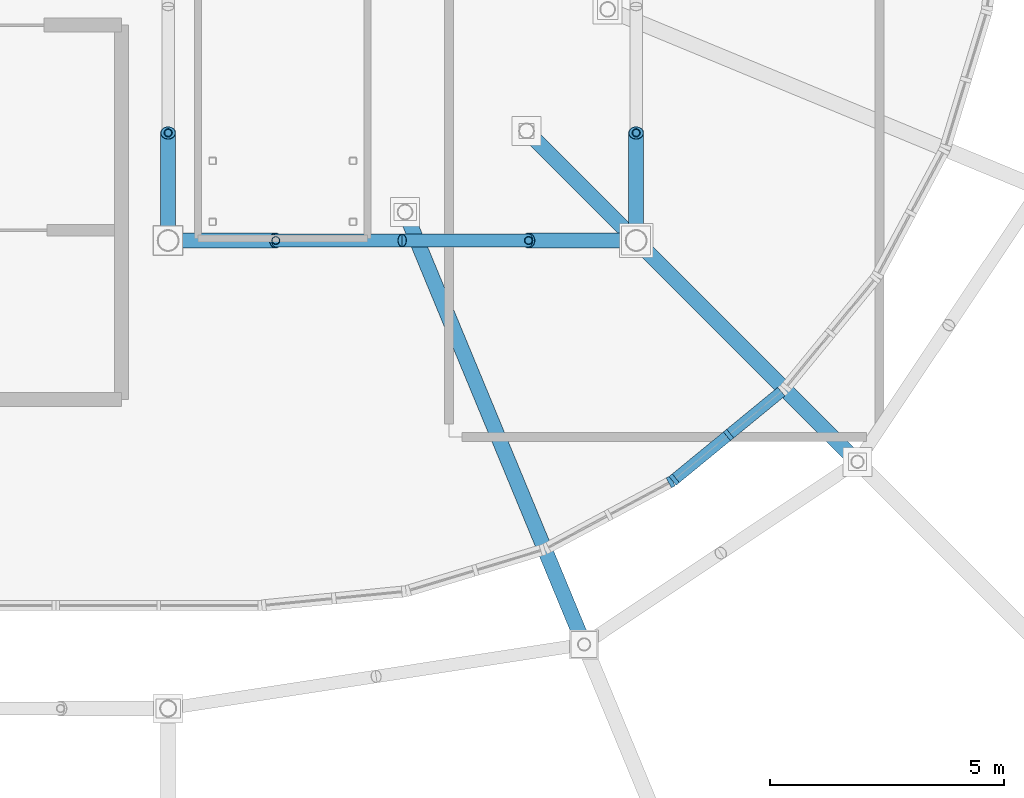
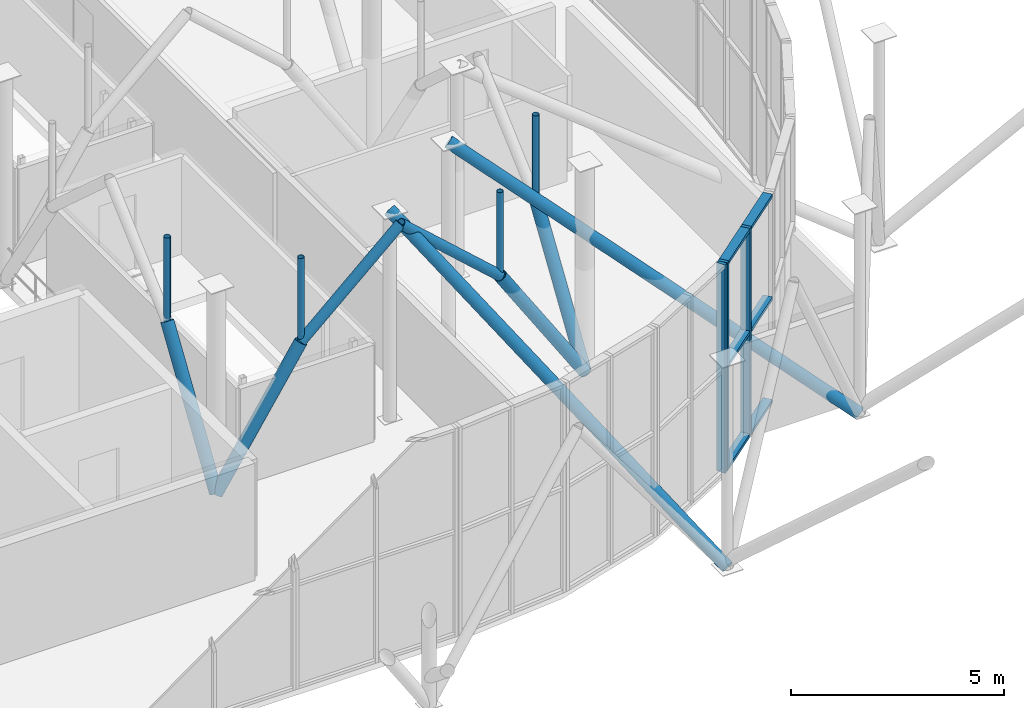
# One storey, part 65 of 109: 21 members, 2 elements without a shape of their own.
"""IFC4 building model written with IfcOpenShell, lengths in metres."""

from ifc_helpers import new_model, si_unit, derived_unit, direction, frame, origin, origin_2d_with_axis, place, context, subcontext, project, spatial, rectangle, hollow_circle, extrude, material, material_profile, profile_set, type_object, element, aggregate, save


model = new_model("IFC4")

# Units and contexts
model_context = context("Model", 3, precision=1e-05, world=origin(), true_north=direction((0.0, 1.0)))
body_context = subcontext(model_context, "Body", "Model", "MODEL_VIEW")
ifc_project = project(units=[si_unit("LENGTHUNIT", "METRE"), si_unit("AREAUNIT", "SQUARE_METRE"), si_unit("VOLUMEUNIT", "CUBIC_METRE"), si_unit("PLANEANGLEUNIT", "RADIAN"), si_unit("MASSUNIT", "GRAM", prefix="KILO"), derived_unit("THERMALTRANSMITTANCEUNIT", [(si_unit("POWERUNIT", "WATT"), 1), (si_unit("LENGTHUNIT", "METRE"), -2), (si_unit("THERMODYNAMICTEMPERATUREUNIT", "KELVIN"), -1)])], contexts=[model_context])

# Site, building, storey
site_placement = place(None, origin())
site = spatial("IfcSite", under=ifc_project, at=site_placement, CompositionType="ELEMENT")
building_placement = place(site_placement, origin())
building = spatial("IfcBuilding", under=site, at=building_placement, Name="Cinnabar Yard Market Hall", CompositionType="ELEMENT")
storey_placement = place(building_placement, frame((0.0, 0.0, 8.39990234375)))
storey = spatial("IfcBuildingStorey", under=building, at=storey_placement, Name="L02", CompositionType="ELEMENT", Elevation=8.39990234375)

# Curtain wall, member
ifc_material_1 = material(Name="Anodised bronze aluminium curved-chord facade", Category="aluminium")
curtain_wall_type = type_object("IfcCurtainWallType", Name="CW-CWC031x60", PredefinedType="NOTDEFINED", material=ifc_material_1)
curtain_wall_1_placement = place(storey_placement, origin())
curtain_wall_1 = element("IfcCurtainWall", 1, at=curtain_wall_1_placement, inside=storey, type_object=curtain_wall_type, Name="Corner SE Chord 3 L02", PredefinedType="NOTDEFINED")
ifc_material_2 = material(Name="Anodised bronze aluminium", Category="aluminium")
ifc_material_profile_1 = material_profile(ifc_material_2, rectangle(XDim=0.239990234375, YDim=0.090087890625, at=origin_2d_with_axis()), Name="MUL-CWC")
ifc_profile_set_1 = profile_set([ifc_material_profile_1], Name="Anodised bronze aluminium")
member_type_1 = type_object("IfcMemberType", Name="CWM-CWC", PredefinedType="MULLION", material=ifc_profile_set_1)
member_1_placement = place(storey_placement, frame((156.73828125, 18.841552734375, 0.0), z_axis=(0.0, 0.0, 1.0), x_axis=(-0.471404114786, 0.881917320707, 0.0)))
member_1 = element("IfcMember", 2, at=member_1_placement, type_object=member_type_1, Name="CWC031x60 mullion 3", PredefinedType="MULLION", context=body_context, shape_type="SweptSolid", body=[
    extrude(rectangle(XDim=0.239990234375, YDim=0.090087890625, at=origin_2d_with_axis()), origin(), (0.0, 0.0, 1.0), 5.97998046875),
])
aggregate(curtain_wall_1, [member_1])

# Curtain wall, members
curtain_wall_2_placement = place(storey_placement, origin())
curtain_wall_2 = element("IfcCurtainWall", 3, at=curtain_wall_2_placement, inside=storey, type_object=curtain_wall_type, Name="Corner SE Chord 4 L02", PredefinedType="NOTDEFINED")
member_2_placement = place(storey_placement, frame((156.812744140625, 18.891357421875, 0.0), z_axis=(0.0, 0.0, 1.0), x_axis=(-0.634383400924, 0.773018564222, 0.0)))
member_2 = element("IfcMember", 4, at=member_2_placement, type_object=member_type_1, Name="CWC031x60 mullion 1", PredefinedType="MULLION", context=body_context, shape_type="SweptSolid", body=[
    extrude(rectangle(XDim=0.239990234375, YDim=0.090087890625, at=origin_2d_with_axis()), origin(), (0.0, 0.0, 1.0), 5.97998046875),
])
member_3_placement = place(storey_placement, frame((157.97509765625, 19.84521484375, 0.0), z_axis=(0.0, 0.0, 1.0), x_axis=(-0.634383400924, 0.773018564222, 0.0)))
member_3 = element("IfcMember", 5, at=member_3_placement, type_object=member_type_1, Name="CWC031x60 mullion 2", PredefinedType="MULLION", context=body_context, shape_type="SweptSolid", body=[
    extrude(rectangle(XDim=0.239990234375, YDim=0.090087890625, at=origin_2d_with_axis()), origin(), (0.0, 0.0, 1.0), 5.97998046875),
])
ifc_material_profile_2 = material_profile(ifc_material_2, rectangle(XDim=0.239990234375, YDim=0.090087890625, at=origin_2d_with_axis()), Name="TRN-CWC")
ifc_profile_set_2 = profile_set([ifc_material_profile_2], Name="Anodised bronze aluminium")
member_type_2 = type_object("IfcMemberType", Name="CWT-CWC", PredefinedType="USERDEFINED", material=ifc_profile_set_2)
member_4_placement = place(storey_placement, frame((156.84765625, 18.919921875, 0.045166015625), z_axis=(0.773040795861, 0.634356309919, 0.0), x_axis=(-0.634356309919, 0.773040795861, 0.0)))
member_4 = element("IfcMember", 6, at=member_4_placement, type_object=member_type_2, Name="CWC031x60 transom 1.1", ObjectType="TRANSOM", PredefinedType="USERDEFINED", context=body_context, shape_type="SweptSolid", body=[
    extrude(rectangle(XDim=0.239990234375, YDim=0.090087890625, at=origin_2d_with_axis()), origin(), (0.0, 0.0, 1.0), 1.41357421875),
])
member_5_placement = place(storey_placement, frame((156.84765625, 18.919921875, 2.989990234375), z_axis=(0.773040795861, 0.634356309919, 0.0), x_axis=(-0.634356309919, 0.773040795861, 0.0)))
member_5 = element("IfcMember", 7, at=member_5_placement, type_object=member_type_2, Name="CWC031x60 transom 1.2", ObjectType="TRANSOM", PredefinedType="USERDEFINED", context=body_context, shape_type="SweptSolid", body=[
    extrude(rectangle(XDim=0.239990234375, YDim=0.090087890625, at=origin_2d_with_axis()), origin(), (0.0, 0.0, 1.0), 1.41357421875),
])
member_6_placement = place(storey_placement, frame((156.84765625, 18.919921875, 5.93505859375), z_axis=(0.773040795861, 0.634356309919, 0.0), x_axis=(-0.634356309919, 0.773040795861, 0.0)))
member_6 = element("IfcMember", 8, at=member_6_placement, type_object=member_type_2, Name="CWC031x60 transom 1.3", ObjectType="TRANSOM", PredefinedType="USERDEFINED", context=body_context, shape_type="SweptSolid", body=[
    extrude(rectangle(XDim=0.239990234375, YDim=0.090087890625, at=origin_2d_with_axis()), origin(), (0.0, 0.0, 1.0), 1.41357421875),
])
member_7_placement = place(storey_placement, frame((158.010009765625, 19.873779296875, 0.045166015625), z_axis=(0.773040795861, 0.634356309919, 0.0), x_axis=(-0.634356309919, 0.773040795861, 0.0)))
member_7 = element("IfcMember", 9, at=member_7_placement, type_object=member_type_2, Name="CWC031x60 transom 2.1", ObjectType="TRANSOM", PredefinedType="USERDEFINED", context=body_context, shape_type="SweptSolid", body=[
    extrude(rectangle(XDim=0.239990234375, YDim=0.090087890625, at=origin_2d_with_axis()), origin(), (0.0, 0.0, 1.0), 1.41357421875),
])
member_8_placement = place(storey_placement, frame((158.010009765625, 19.873779296875, 2.989990234375), z_axis=(0.773040795861, 0.634356309919, 0.0), x_axis=(-0.634356309919, 0.773040795861, 0.0)))
member_8 = element("IfcMember", 10, at=member_8_placement, type_object=member_type_2, Name="CWC031x60 transom 2.2", ObjectType="TRANSOM", PredefinedType="USERDEFINED", context=body_context, shape_type="SweptSolid", body=[
    extrude(rectangle(XDim=0.239990234375, YDim=0.090087890625, at=origin_2d_with_axis()), origin(), (0.0, 0.0, 1.0), 1.41357421875),
])
member_9_placement = place(storey_placement, frame((158.010009765625, 19.873779296875, 5.93505859375), z_axis=(0.773040795861, 0.634356309919, 0.0), x_axis=(-0.634356309919, 0.773040795861, 0.0)))
member_9 = element("IfcMember", 11, at=member_9_placement, type_object=member_type_2, Name="CWC031x60 transom 2.3", ObjectType="TRANSOM", PredefinedType="USERDEFINED", context=body_context, shape_type="SweptSolid", body=[
    extrude(rectangle(XDim=0.239990234375, YDim=0.090087890625, at=origin_2d_with_axis()), origin(), (0.0, 0.0, 1.0), 1.41357421875),
])
aggregate(curtain_wall_2, [member_2, member_3, member_4, member_5, member_6, member_7, member_8, member_9])

# Members
ifc_material_3 = material(Name="Spotted-gum glulam-clad steel Grade 350 (350 MPa)", Category="steel")
ifc_material_profile_3 = material_profile(ifc_material_3, hollow_circle(Radius=0.136474609375, WallThickness=0.00927734375, at=origin_2d_with_axis()), Name="273.1x9.3CHS")
ifc_profile_set_3 = profile_set([ifc_material_profile_3], Name="Spotted-gum glulam-clad steel Grade 350 (350 MPa)")
member_type_3 = type_object("IfcMemberType", Name="MB-AR01", PredefinedType="USERDEFINED", material=ifc_profile_set_3)
for number, where, z_axis, x_axis, name in (
    (12, (148.300048828125, 24.0, 3.550048828125), (0.743297488271, 0.0, 0.668961018244), (0.0, 1.0, 0.0), "Pointed Arch Rib 0116"),
    (13, (153.699951171875, 24.0, 3.550048828125), (-0.743297488271, 0.0, 0.668961018244), (0.0, -1.0, 0.0), "Pointed Arch Rib 0132"),
):
    element("IfcMember", number, at=place(storey_placement, frame(where, z_axis=z_axis, x_axis=x_axis)), inside=storey, type_object=member_type_3, Name=name, ObjectType="ARCH RIB", PredefinedType="USERDEFINED", context=body_context, shape_type="SweptSolid", body=[
        extrude(hollow_circle(Radius=0.136474609375, WallThickness=0.00927734375, at=origin_2d_with_axis()), origin(), (0.0, 0.0, 1.0), 3.63232421875),
    ])
ifc_material_profile_4 = material_profile(ifc_material_3, hollow_circle(Radius=0.161865234375, WallThickness=0.009521484375, at=origin_2d_with_axis()), Name="323.9x9.5CHS")
ifc_profile_set_4 = profile_set([ifc_material_profile_4], Name="Spotted-gum glulam-clad steel Grade 350 (350 MPa)")
member_type_4 = type_object("IfcMemberType", Name="MB-ST01", PredefinedType="STRUT", material=ifc_profile_set_4)
for number, where, z_axis, x_axis, name in (
    (14, (146.0, 24.0, 0.0), (0.543744165176, 0.0, 0.839251024925), (0.0, 1.0, 0.0), "Curved Branch Arm Lower 0116"),
    (15, (146.0, 24.0, 0.0), (0.0, 0.543744165176, 0.839251024925), (-1.0, 0.0, 0.0), "Curved Branch Arm Lower 0117"),
    (16, (156.0, 24.0, 0.0), (-0.543744165176, 0.0, 0.839251024925), (0.0, -1.0, 0.0), "Curved Branch Arm Lower 0132"),
    (17, (156.0, 24.0, 0.0), (0.0, 0.543744165176, 0.839251024925), (-1.0, 0.0, 0.0), "Curved Branch Arm Lower 0133"),
):
    element("IfcMember", number, at=place(storey_placement, frame(where, z_axis=z_axis, x_axis=x_axis)), inside=storey, type_object=member_type_4, Name=name, PredefinedType="STRUT", context=body_context, shape_type="SweptSolid", body=[
        extrude(hollow_circle(Radius=0.161865234375, WallThickness=0.009521484375, at=origin_2d_with_axis()), origin(), (0.0, 0.0, 1.0), 4.22998046875),
    ])
ifc_material_profile_5 = material_profile(ifc_material_3, hollow_circle(Radius=0.161865234375, WallThickness=0.009521484375, at=origin_2d_with_axis()), Name="323.9x9.5CHS")
ifc_profile_set_5 = profile_set([ifc_material_profile_5], Name="Spotted-gum glulam-clad steel Grade 350 (350 MPa)")
member_type_5 = type_object("IfcMemberType", Name="MB-ST01E", PredefinedType="STRUT", material=ifc_profile_set_5)
member_10_placement = place(storey_placement, frame((154.88818359375, 15.3701171875, 0.0), z_axis=(-0.328425302123, 0.792922692544, 0.513235252661), x_axis=(-0.923885312463, -0.382669478028, 0.0)))
element("IfcMember", 18, at=member_10_placement, inside=storey, type_object=member_type_5, Name="Corner Radial Inward Arm SE-2", PredefinedType="STRUT", context=body_context, shape_type="SweptSolid", body=[
    extrude(hollow_circle(Radius=0.161865234375, WallThickness=0.009521484375, at=origin_2d_with_axis()), origin(), (0.0, 0.0, 1.0), 11.651611328125),
])
member_11_placement = place(storey_placement, frame((160.727783203125, 19.272216796875, 0.0), z_axis=(-0.606868367863, 0.606868367863, 0.513246108778), x_axis=(-0.707106781187, -0.707106781187, 0.0)))
element("IfcMember", 19, at=member_11_placement, inside=storey, type_object=member_type_5, Name="Corner Radial Inward Arm SE-4", PredefinedType="STRUT", context=body_context, shape_type="SweptSolid", body=[
    extrude(hollow_circle(Radius=0.161865234375, WallThickness=0.009521484375, at=origin_2d_with_axis()), origin(), (0.0, 0.0, 1.0), 11.6513671875),
])
ifc_material_4 = material(Name="Cold-formed steel C350L0", Category="steel")
ifc_material_profile_6 = material_profile(ifc_material_4, hollow_circle(Radius=0.084228515625, WallThickness=0.00634765625, at=origin_2d_with_axis()), Name="168.3x6.4CHS")
ifc_profile_set_6 = profile_set([ifc_material_profile_6], Name="Cold-formed steel C350L0")
member_type_6 = type_object("IfcMemberType", Name="MB-WB01", PredefinedType="STRUT", material=ifc_profile_set_6)
for number, where, z_axis, x_axis, name in (
    (20, (148.300048828125, 24.0, 3.550048828125), (0.0, 0.0, 1.0), (1.0, 0.0, 0.0), "Arch Spandrel Post 0116"),
    (21, (146.0, 26.300048828125, 3.550048828125), (0.0, 0.0, 1.0), (1.0, 0.0, 0.0), "Arch Spandrel Post 0117"),
    (22, (153.699951171875, 24.0, 3.550048828125), (0.0, 0.0, 1.0), (1.0, 0.0, 0.0), "Arch Spandrel Post 0132"),
    (23, (156.0, 26.300048828125, 3.550048828125), (0.0, 0.0, 1.0), (1.0, 0.0, 0.0), "Arch Spandrel Post 0133"),
):
    element("IfcMember", number, at=place(storey_placement, frame(where, z_axis=z_axis, x_axis=x_axis)), inside=storey, type_object=member_type_6, Name=name, PredefinedType="STRUT", context=body_context, shape_type="SweptSolid", body=[
        extrude(hollow_circle(Radius=0.084228515625, WallThickness=0.00634765625, at=origin_2d_with_axis()), origin(), (0.0, 0.0, 1.0), 2.429931640625),
    ])

save(model, "model.ifc")
